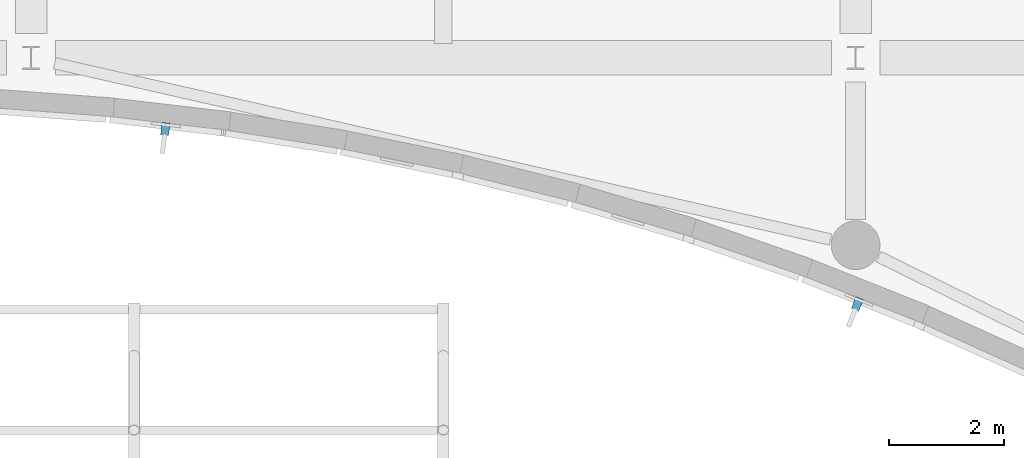
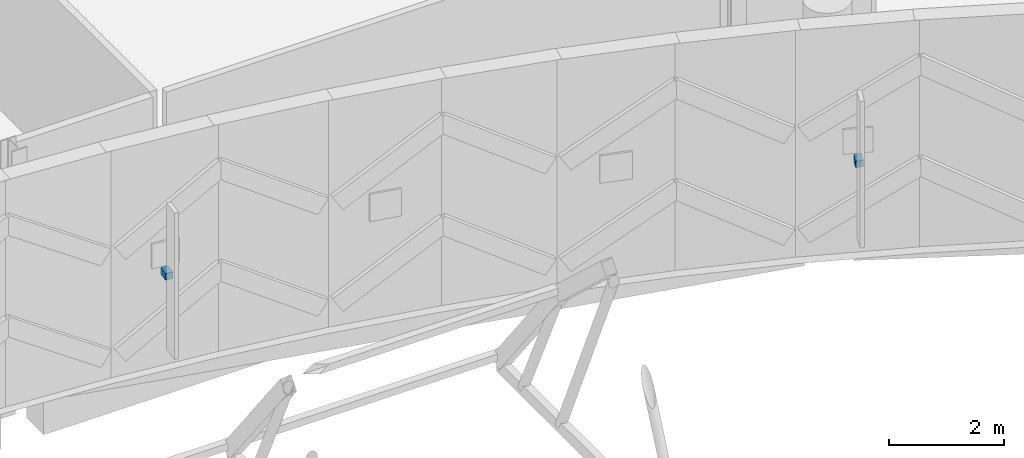
# One storey, part 177 of 220: 2 discrete accessories.
"""IFC4 building model written with IfcOpenShell, lengths in metres."""

from ifc_helpers import new_model, si_unit, direction, frame, origin, origin_2d, place, context, subcontext, project, spatial, rectangle, extrude, material, type_object, element, save


model = new_model("IFC4")

# Units and contexts
model_context = context("Model", 3, precision=1e-05, world=origin(), true_north=direction((0.0, 1.0)))
body_context = subcontext(model_context, "Body", "Model", "MODEL_VIEW")
ifc_project = project(units=[si_unit("LENGTHUNIT", "METRE"), si_unit("AREAUNIT", "SQUARE_METRE"), si_unit("VOLUMEUNIT", "CUBIC_METRE"), si_unit("PLANEANGLEUNIT", "RADIAN"), si_unit("MASSUNIT", "GRAM", prefix="KILO")], contexts=[model_context])

# Site, building, storey
site_placement = place(None, origin())
site = spatial("IfcSite", under=ifc_project, at=site_placement, CompositionType="ELEMENT")
building_placement = place(site_placement, origin())
building = spatial("IfcBuilding", under=site, at=building_placement, Name="Cendralis Lancet Convention Centre", CompositionType="ELEMENT")
storey_placement = place(building_placement, frame((0.0, 0.0, 5.39990234375)))
storey = spatial("IfcBuildingStorey", under=building, at=storey_placement, Name="L01", CompositionType="ELEMENT", Elevation=5.39990234375)

# Discrete accessories
ifc_material = material(Name="Steel S355", Category="steel")
discrete_accessory_type = type_object("IfcDiscreteAccessoryType", Name="ARC-BRK-FIN", PredefinedType="BRACKET", material=ifc_material)
for number, where, z_axis, x_axis, name in (
    (1, (110.3447265625, 13.15625, 1.93017578125), (0.0, 0.0, 1.0), (0.99322754702, -0.116185368447, 0.0), "Facade Fin Bracket BK-FIN #019"),
    (2, (122.430419921875, 10.101806640625, 1.93017578125), (0.0, 0.0, 1.0), (0.929268028387, -0.369406187572, 0.0), "Facade Fin Bracket BK-FIN #021"),
):
    element("IfcDiscreteAccessory", number, at=place(storey_placement, frame(where, z_axis=z_axis, x_axis=x_axis)), inside=storey, type_object=discrete_accessory_type, Name=name, PredefinedType="BRACKET", context=body_context, shape_type="SweptSolid", body=[
        extrude(rectangle(XDim=0.139892578125, YDim=0.219970703125, at=origin_2d()), origin(), (0.0, 0.0, 1.0), 0.139892578125),
    ])

save(model, "model.ifc")
